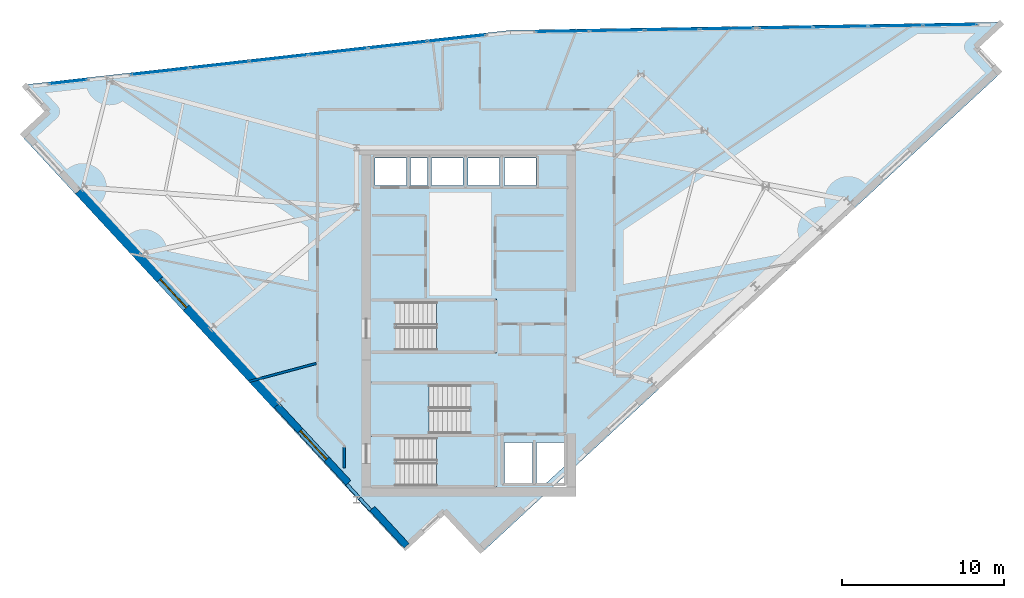
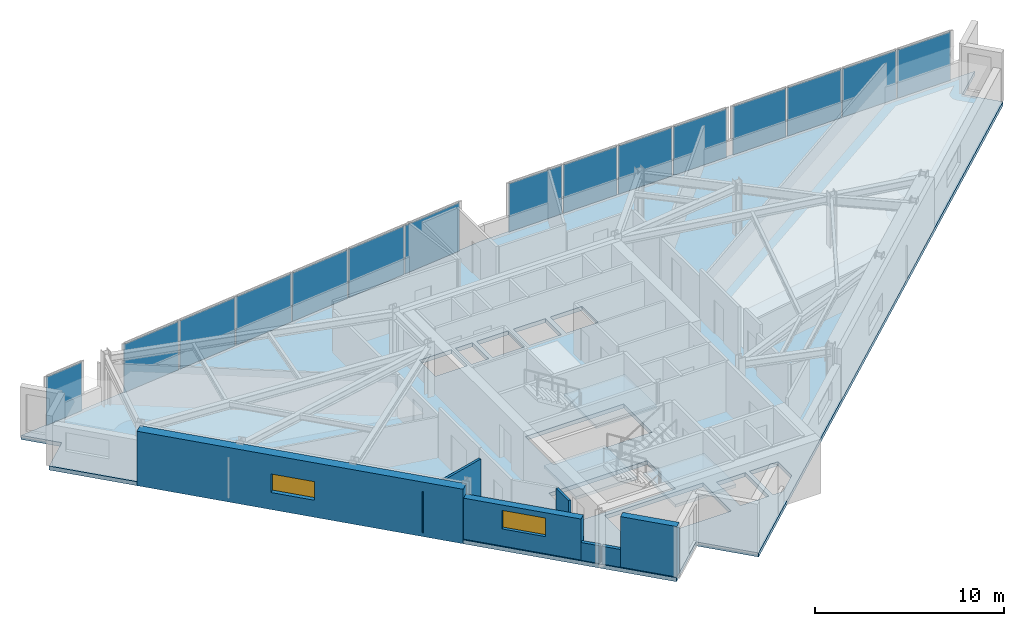
# One storey, part 8 of 14: 15 plates, 7 walls, 4 slabs, 2 windows, 2 openings, 7 elements without a shape of their own.
"""IFC4 building model written with IfcOpenShell, lengths in metres."""

from ifc_helpers import new_model, si_unit, direction, frame, frame_2d, origin, origin_2d, place, context, subcontext, project, spatial, polyline, rectangle, outline, extrude, material, layer, layer_set, type_object, element, fill, aggregate, save


model = new_model("IFC4")

# Units and contexts
model_context = context("Model", 3, precision=1e-05, world=origin(), true_north=direction((0.0, 1.0)))
body_context = subcontext(model_context, "Body", "Model", "MODEL_VIEW")
ifc_project = project(units=[si_unit("LENGTHUNIT", "METRE"), si_unit("AREAUNIT", "SQUARE_METRE"), si_unit("VOLUMEUNIT", "CUBIC_METRE"), si_unit("PLANEANGLEUNIT", "RADIAN"), si_unit("MASSUNIT", "GRAM", prefix="KILO")], contexts=[model_context])

# Site, building, storey
site_placement = place(None, origin())
site = spatial("IfcSite", under=ifc_project, at=site_placement, CompositionType="ELEMENT")
building_placement = place(site_placement, origin())
building = spatial("IfcBuilding", under=site, at=building_placement, Name="Narakoshi Arena Tower", CompositionType="ELEMENT")
storey_placement = place(building_placement, frame((0.0, 0.0, 288.89990234375)))
storey = spatial("IfcBuildingStorey", under=building, at=storey_placement, Name="L79", CompositionType="ELEMENT", Elevation=288.89990234375)

# Curtain wall, plates
ifc_material_1 = material(Name="Clear low-iron laminated structural glass", Category="glass")
curtain_wall_type = type_object("IfcCurtainWallType", Name="CW-OBS-TMD", PredefinedType="NOTDEFINED", material=ifc_material_1)
curtain_wall_1_placement = place(storey_placement, origin())
curtain_wall_1 = element("IfcCurtainWall", 1, at=curtain_wall_1_placement, inside=storey, type_object=curtain_wall_type, Name="L79 Folded Hypotenuse Curtain Wall 1-1", PredefinedType="NOTDEFINED")
ifc_layer_1 = layer(ifc_material_1, 0.052001953125)
ifc_layer_set_1 = layer_set([ifc_layer_1], Name="Clear low-iron laminated structural glass")
plate_type = type_object("IfcPlateType", Name="PLT-GLZ-52", PredefinedType="CURTAIN_PANEL", material=ifc_layer_set_1)
plate_1_placement = place(storey_placement, frame((108.740234375, 64.090087890625, 0.070068359375), z_axis=(0.0, 0.0, 1.0), x_axis=(-0.999864775441, -0.016444781281, 0.0)))
plate_1 = element("IfcPlate", 2, at=plate_1_placement, type_object=plate_type, Name="CW-05 panel 1.1", PredefinedType="CURTAIN_PANEL", context=body_context, shape_type="SweptSolid", body=[
    extrude(rectangle(XDim=3.27783203125, YDim=0.052001953125, at=origin_2d()), origin(), (0.0, 0.0, 1.0), 3.1201171875),
])
plate_2_placement = place(storey_placement, frame((105.363037109375, 64.03466796875, 0.070068359375), z_axis=(0.0, 0.0, 1.0), x_axis=(-0.999864775441, -0.016444781281, 0.0)))
plate_2 = element("IfcPlate", 3, at=plate_2_placement, type_object=plate_type, Name="CW-05 panel 2.1", PredefinedType="CURTAIN_PANEL", context=body_context, shape_type="SweptSolid", body=[
    extrude(rectangle(XDim=3.317626953125, YDim=0.052001953125, at=origin_2d()), origin(), (0.0, 0.0, 1.0), 3.1201171875),
])
plate_3_placement = place(storey_placement, frame((101.9658203125, 63.978759765625, 0.070068359375), z_axis=(0.0, 0.0, 1.0), x_axis=(-0.999864775441, -0.016444781281, 0.0)))
plate_3 = element("IfcPlate", 4, at=plate_3_placement, type_object=plate_type, Name="CW-05 panel 3.1", PredefinedType="CURTAIN_PANEL", context=body_context, shape_type="SweptSolid", body=[
    extrude(rectangle(XDim=3.317626953125, YDim=0.052001953125, at=origin_2d()), origin(), (0.0, 0.0, 1.0), 3.1201171875),
])
plate_4_placement = place(storey_placement, frame((98.58837890625, 63.923095703125, 0.070068359375), z_axis=(0.0, 0.0, 1.0), x_axis=(-0.999864775441, -0.016444781281, 0.0)))
plate_4 = element("IfcPlate", 5, at=plate_4_placement, type_object=plate_type, Name="CW-05 panel 4.1", PredefinedType="CURTAIN_PANEL", context=body_context, shape_type="SweptSolid", body=[
    extrude(rectangle(XDim=3.27783203125, YDim=0.052001953125, at=origin_2d()), origin(), (0.0, 0.0, 1.0), 3.1201171875),
])
aggregate(curtain_wall_1, [plate_1, plate_2, plate_3, plate_4])

curtain_wall_2_placement = place(storey_placement, origin())
curtain_wall_2 = element("IfcCurtainWall", 6, at=curtain_wall_2_placement, inside=storey, type_object=curtain_wall_type, Name="L79 Folded Hypotenuse Curtain Wall 1-2", PredefinedType="NOTDEFINED")
plate_5_placement = place(storey_placement, frame((94.9111328125, 63.862548828125, 0.070068359375), z_axis=(0.0, 0.0, 1.0), x_axis=(-0.999864898384, -0.016437304499, 0.0)))
plate_5 = element("IfcPlate", 7, at=plate_5_placement, type_object=plate_type, Name="CW-05 panel 1.1", PredefinedType="CURTAIN_PANEL", context=body_context, shape_type="SweptSolid", body=[
    extrude(rectangle(XDim=3.27783203125, YDim=0.052001953125, at=origin_2d()), origin(), (0.0, 0.0, 1.0), 3.1201171875),
])
plate_6_placement = place(storey_placement, frame((91.533935546875, 63.80712890625, 0.070068359375), z_axis=(0.0, 0.0, 1.0), x_axis=(-0.999864898384, -0.016437304499, 0.0)))
plate_6 = element("IfcPlate", 8, at=plate_6_placement, type_object=plate_type, Name="CW-05 panel 2.1", PredefinedType="CURTAIN_PANEL", context=body_context, shape_type="SweptSolid", body=[
    extrude(rectangle(XDim=3.31787109375, YDim=0.052001953125, at=origin_2d()), origin(), (0.0, 0.0, 1.0), 3.1201171875),
])
plate_7_placement = place(storey_placement, frame((88.136474609375, 63.751220703125, 0.070068359375), z_axis=(0.0, 0.0, 1.0), x_axis=(-0.999864898384, -0.016437304499, 0.0)))
plate_7 = element("IfcPlate", 9, at=plate_7_placement, type_object=plate_type, Name="CW-05 panel 3.1", PredefinedType="CURTAIN_PANEL", context=body_context, shape_type="SweptSolid", body=[
    extrude(rectangle(XDim=3.31787109375, YDim=0.052001953125, at=origin_2d()), origin(), (0.0, 0.0, 1.0), 3.1201171875),
])
plate_8_placement = place(storey_placement, frame((84.75927734375, 63.69580078125, 0.070068359375), z_axis=(0.0, 0.0, 1.0), x_axis=(-0.999864898384, -0.016437304499, 0.0)))
plate_8 = element("IfcPlate", 10, at=plate_8_placement, type_object=plate_type, Name="CW-05 panel 4.1", PredefinedType="CURTAIN_PANEL", context=body_context, shape_type="SweptSolid", body=[
    extrude(rectangle(XDim=3.27783203125, YDim=0.052001953125, at=origin_2d()), origin(), (0.0, 0.0, 1.0), 3.1201171875),
])
aggregate(curtain_wall_2, [plate_5, plate_6, plate_7, plate_8])

curtain_wall_3_placement = place(storey_placement, origin())
curtain_wall_3 = element("IfcCurtainWall", 11, at=curtain_wall_3_placement, inside=storey, type_object=curtain_wall_type, Name="L79 Folded Hypotenuse Curtain Wall 2-1", PredefinedType="NOTDEFINED")
plate_9_placement = place(storey_placement, frame((78.20263671875, 63.26806640625, 0.070068359375), z_axis=(0.0, 0.0, 1.0), x_axis=(-0.9937760074, -0.111396800294, 0.0)))
plate_9 = element("IfcPlate", 12, at=plate_9_placement, type_object=plate_type, Name="CW-05 panel 1.1", PredefinedType="CURTAIN_PANEL", context=body_context, shape_type="SweptSolid", body=[
    extrude(rectangle(XDim=3.580810546875, YDim=0.052001953125, at=origin_2d()), origin(), (0.0, 0.0, 1.0), 3.1201171875),
])
plate_10_placement = place(storey_placement, frame((74.544677734375, 62.858154296875, 0.070068359375), z_axis=(0.0, 0.0, 1.0), x_axis=(-0.9937760074, -0.111396800294, 0.0)))
plate_10 = element("IfcPlate", 13, at=plate_10_placement, type_object=plate_type, Name="CW-05 panel 2.1", PredefinedType="CURTAIN_PANEL", context=body_context, shape_type="SweptSolid", body=[
    extrude(rectangle(XDim=3.620849609375, YDim=0.052001953125, at=origin_2d()), origin(), (0.0, 0.0, 1.0), 3.1201171875),
])
plate_11_placement = place(storey_placement, frame((70.866943359375, 62.44580078125, 0.070068359375), z_axis=(0.0, 0.0, 1.0), x_axis=(-0.9937760074, -0.111396800294, 0.0)))
plate_11 = element("IfcPlate", 14, at=plate_11_placement, type_object=plate_type, Name="CW-05 panel 3.1", PredefinedType="CURTAIN_PANEL", context=body_context, shape_type="SweptSolid", body=[
    extrude(rectangle(XDim=3.620849609375, YDim=0.052001953125, at=origin_2d()), origin(), (0.0, 0.0, 1.0), 3.1201171875),
])
plate_12_placement = place(storey_placement, frame((67.18896484375, 62.033447265625, 0.070068359375), z_axis=(0.0, 0.0, 1.0), x_axis=(-0.9937760074, -0.111396800294, 0.0)))
plate_12 = element("IfcPlate", 15, at=plate_12_placement, type_object=plate_type, Name="CW-05 panel 4.1", PredefinedType="CURTAIN_PANEL", context=body_context, shape_type="SweptSolid", body=[
    extrude(rectangle(XDim=3.620849609375, YDim=0.052001953125, at=origin_2d()), origin(), (0.0, 0.0, 1.0), 3.1201171875),
])
plate_13_placement = place(storey_placement, frame((63.51123046875, 61.621337890625, 0.070068359375), z_axis=(0.0, 0.0, 1.0), x_axis=(-0.9937760074, -0.111396800294, 0.0)))
plate_13 = element("IfcPlate", 16, at=plate_13_placement, type_object=plate_type, Name="CW-05 panel 5.1", PredefinedType="CURTAIN_PANEL", context=body_context, shape_type="SweptSolid", body=[
    extrude(rectangle(XDim=3.620849609375, YDim=0.052001953125, at=origin_2d()), origin(), (0.0, 0.0, 1.0), 3.1201171875),
])
plate_14_placement = place(storey_placement, frame((59.853271484375, 61.211181640625, 0.070068359375), z_axis=(0.0, 0.0, 1.0), x_axis=(-0.9937760074, -0.111396800294, 0.0)))
plate_14 = element("IfcPlate", 17, at=plate_14_placement, type_object=plate_type, Name="CW-05 panel 6.1", PredefinedType="CURTAIN_PANEL", context=body_context, shape_type="SweptSolid", body=[
    extrude(rectangle(XDim=3.580810546875, YDim=0.052001953125, at=origin_2d()), origin(), (0.0, 0.0, 1.0), 3.1201171875),
])
aggregate(curtain_wall_3, [plate_9, plate_10, plate_11, plate_12, plate_13, plate_14])

# Curtain wall, plate
curtain_wall_4_placement = place(storey_placement, origin())
curtain_wall_4 = element("IfcCurtainWall", 18, at=curtain_wall_4_placement, inside=storey, type_object=curtain_wall_type, Name="L79 Folded Hypotenuse Curtain Wall 2-2", PredefinedType="NOTDEFINED")
plate_15_placement = place(storey_placement, frame((54.15478515625, 60.572509765625, 0.070068359375), z_axis=(0.0, 0.0, 1.0), x_axis=(-0.993773636197, -0.111417951878, 0.0)))
plate_15 = element("IfcPlate", 19, at=plate_15_placement, type_object=plate_type, Name="CW-05 panel 1.1", PredefinedType="CURTAIN_PANEL", context=body_context, shape_type="SweptSolid", body=[
    extrude(rectangle(XDim=2.31005859375, YDim=0.052001953125, at=origin_2d()), origin(), (0.0, 0.0, 1.0), 3.1201171875),
])
aggregate(curtain_wall_4, [plate_15])

# Stair, slab
ifc_material_2 = material(Name="Concrete C45/55", Category="concrete")
stair_type = type_object("IfcStairType", Name="STR-CORE-352", PredefinedType="TWO_STRAIGHT_RUN_STAIR", material=ifc_material_2)
stair_1_placement = place(storey_placement, origin())
stair_1 = element("IfcStair", 20, at=stair_1_placement, inside=storey, type_object=stair_type, Name="L79 Core Escape Stair ST1", PredefinedType="TWO_STRAIGHT_RUN_STAIR")
ifc_layer_2 = layer(ifc_material_2, 0.18994140625)
ifc_layer_set_2 = layer_set([ifc_layer_2], Name="Concrete C45/55")
slab_type_1 = type_object("IfcSlabType", Name="SLB-LND-190", PredefinedType="LANDING", material=ifc_layer_set_2)
slab_1_placement = place(storey_placement, frame((0.0, 0.0, 1.570068359375)))
slab_1 = element("IfcSlab", 21, at=slab_1_placement, type_object=slab_type_1, Name="ST1 landing 1", PredefinedType="LANDING", context=body_context, shape_type="SweptSolid", body=[
    extrude(outline(polyline([(76.965087890625, 35.3701171875), (80.679931640625, 35.3701171875), (80.679931640625, 38.72998046875), (76.965087890625, 38.72998046875), (76.965087890625, 35.3701171875)])), origin(), (0.0, 0.0, 1.0), 0.18994140625),
])
aggregate(stair_1, [slab_1])

stair_2_placement = place(storey_placement, origin())
stair_2 = element("IfcStair", 22, at=stair_2_placement, inside=storey, type_object=stair_type, Name="L79 Core Escape Stair ST2", PredefinedType="TWO_STRAIGHT_RUN_STAIR")
slab_2_placement = place(storey_placement, frame((0.0, 0.0, 1.570068359375)))
slab_2 = element("IfcSlab", 23, at=slab_2_placement, type_object=slab_type_1, Name="ST2 landing 1", PredefinedType="LANDING", context=body_context, shape_type="SweptSolid", body=[
    extrude(outline(polyline([(72.77001953125, 38.6201171875), (76.485107421875, 38.6201171875), (76.485107421875, 41.97998046875), (72.77001953125, 41.97998046875), (72.77001953125, 38.6201171875)])), origin(), (0.0, 0.0, 1.0), 0.18994140625),
])
aggregate(stair_2, [slab_2])

stair_3_placement = place(storey_placement, origin())
stair_3 = element("IfcStair", 24, at=stair_3_placement, inside=storey, type_object=stair_type, Name="L79 Core Escape Stair ST3", PredefinedType="TWO_STRAIGHT_RUN_STAIR")
slab_3_placement = place(storey_placement, frame((0.0, 0.0, 1.570068359375)))
slab_3 = element("IfcSlab", 25, at=slab_3_placement, type_object=slab_type_1, Name="ST3 landing 1", PredefinedType="LANDING", context=body_context, shape_type="SweptSolid", body=[
    extrude(outline(polyline([(76.965087890625, 43.77001953125), (80.679931640625, 43.77001953125), (80.679931640625, 47.1298828125), (76.965087890625, 47.1298828125), (76.965087890625, 43.77001953125)])), origin(), (0.0, 0.0, 1.0), 0.18994140625),
])
aggregate(stair_3, [slab_3])

# Slab
ifc_material_3 = material(Name="Concrete C50/60", Category="concrete")
ifc_layer_3 = layer(ifc_material_3, 0.260009765625)
ifc_layer_set_3 = layer_set([ifc_layer_3], Name="Concrete C50/60")
slab_type_2 = type_object("IfcSlabType", Name="SLB-SKY-260", PredefinedType="FLOOR", material=ifc_layer_set_3)
slab_4_placement = place(storey_placement, frame((0.0, 0.0, -0.260009765625)))
element("IfcSlab", 26, at=slab_4_placement, inside=storey, type_object=slab_type_2, Name="L79 Structural Floor Slab", PredefinedType="FLOOR", context=body_context, shape_type="SweptSolid", body=[
    extrude(outline(polyline([(79.8056640625, 31.47216796875), (111.83154296875, 61.076416015625), (110.30078125, 62.732421875), (111.956787109375, 64.26318359375), (81.538818359375, 63.7626953125), (51.42333984375, 60.38720703125), (52.9541015625, 58.731201171875), (51.298095703125, 57.200439453125), (74.9033203125, 31.664794921875), (77.45068359375, 34.01953125), (79.8056640625, 31.47216796875)]), holes=[polyline([(80.5, 35.550048828125), (74.47998046875, 35.550048828125), (74.47998046875, 38.550048828125), (80.5, 38.550048828125), (80.5, 35.550048828125)]), polyline([(82.89990234375, 35.75), (81.14990234375, 35.75), (81.14990234375, 38.25), (82.89990234375, 38.25), (82.89990234375, 35.75)]), polyline([(84.89990234375, 36.794189453125), (83.7705078125, 35.75), (83.14990234375, 35.75), (83.14990234375, 38.25), (84.89990234375, 38.25), (84.89990234375, 36.794189453125)]), polyline([(72.949951171875, 38.800048828125), (72.949951171875, 41.800048828125), (78.969970703125, 41.800048828125), (78.969970703125, 38.800048828125), (72.949951171875, 38.800048828125)]), polyline([(74.47998046875, 43.949951171875), (74.47998046875, 46.949951171875), (80.5, 46.949951171875), (80.5, 43.949951171875), (74.47998046875, 43.949951171875)]), polyline([(75.10009765625, 54.14990234375), (73.14990234375, 54.14990234375), (73.14990234375, 55.85009765625), (75.10009765625, 55.85009765625), (75.10009765625, 54.14990234375)]), polyline([(76.39990234375, 54.14990234375), (75.35009765625, 54.14990234375), (75.35009765625, 55.85009765625), (76.39990234375, 55.85009765625), (76.39990234375, 54.14990234375)]), polyline([(78.60009765625, 54.14990234375), (76.64990234375, 54.14990234375), (76.64990234375, 55.85009765625), (78.60009765625, 55.85009765625), (78.60009765625, 54.14990234375)]), polyline([(78.89990234375, 54.14990234375), (78.89990234375, 55.85009765625), (80.85009765625, 55.85009765625), (80.85009765625, 54.14990234375), (78.89990234375, 54.14990234375)]), polyline([(81.14990234375, 54.14990234375), (81.14990234375, 55.85009765625), (83.10009765625, 55.85009765625), (83.10009765625, 54.14990234375), (81.14990234375, 54.14990234375)])]), origin(), (0.0, 0.0, 1.0), 0.260009765625),
])

# Wall, opening, window
ifc_layer_4 = layer(ifc_material_3, 0.550048828125)
ifc_layer_set_4 = layer_set([ifc_layer_4], Name="Concrete C50/60")
wall_type_1 = type_object("IfcWallType", Name="WL-LEG-550", PredefinedType="SHEAR", material=ifc_layer_set_4)
wall_1_placement = place(storey_placement, frame((54.804931640625, 53.81201171875, -0.260009765625), z_axis=(0.0, 0.0, 1.0), x_axis=(0.678803115619, -0.734320318543, 0.0)))
wall_1 = element("IfcWall", 27, at=wall_1_placement, inside=storey, type_object=wall_type_1, Name="L79 Architectural Concrete Structural Wall LEGB-2", PredefinedType="SHEAR", context=body_context, shape_type="SweptSolid", body=[
    extrude(rectangle(XDim=18.082763671875, YDim=0.550048828125, at=frame_2d((9.04150390625, 0.0))), origin(), (0.0, 0.0, 1.0), 3.52001953125),
])
opening_1_placement = place(wall_1_placement, frame((7.434326171875, 0.0, 1.10009765625)))
opening_1 = element("IfcOpeningElement", 28, at=opening_1_placement, cuts=wall_1, Name="Opening WN-04", PredefinedType="OPENING", context=body_context, shape_type="SweptSolid", body=[
    extrude(rectangle(XDim=2.39990234375, YDim=1.199951171875, at=frame_2d((1.199951171875, 0.60009765625))), frame((0.0, 0.284912109375, 0.0), z_axis=(0.0, -1.0, 0.0), x_axis=(1.0, 0.0, 0.0)), (0.0, 0.0, 1.0), 0.570068359375),
])
ifc_material_4 = material(Name="Bronze-tinted low-E laminated glass", Category="glass")
window_type = type_object("IfcWindowType", Name="WIN-SLT-24x12", PartitioningType="SINGLE_PANEL", PredefinedType="WINDOW", material=ifc_material_4)
window_1_placement = place(opening_1_placement, origin())
window_1 = element("IfcWindow", 29, at=window_1_placement, inside=storey, type_object=window_type, Name="L79 LEGB2 Horizontal Slot Window 1", OverallHeight=1.199951171875, OverallWidth=2.39990234375, PartitioningType="SINGLE_PANEL", PredefinedType="WINDOW", context=body_context, shape_type="SweptSolid", body=[
    extrude(rectangle(XDim=2.39990234375, YDim=1.199951171875, at=frame_2d((1.199951171875, 0.60009765625))), frame((0.0, 0.030029296875, 0.0), z_axis=(0.0, -1.0, 0.0), x_axis=(1.0, 0.0, 0.0)), (0.0, 0.0, 1.0), 0.06005859375),
])
fill(opening_1, window_1)

# Walls
ifc_material_5 = material(Name="Precast concrete C45/55", Category="concrete")
ifc_layer_5 = layer(ifc_material_5, 0.25)
ifc_layer_set_5 = layer_set([ifc_layer_5], Name="Precast concrete C45/55")
wall_type_2 = type_object("IfcWallType", Name="WL-PARA-250", PredefinedType="PARAPET", material=ifc_layer_set_5)
wall_2_placement = place(storey_placement, frame((72.881103515625, 34.058349609375, 0.0), z_axis=(0.0, 0.0, 1.0), x_axis=(-0.678872530156, 0.734256145905, 0.0)))
element("IfcWall", 30, at=wall_2_placement, inside=storey, type_object=wall_type_2, Name="L79 Crown Sill Upstand Parapet 01", PredefinedType="PARAPET", context=body_context, shape_type="SweptSolid", body=[
    extrude(rectangle(XDim=1.009521484375, YDim=0.199951171875, at=frame_2d((0.5048828125, 0.0))), origin(), (0.0, 0.0, 1.0), 1.150146484375),
])
wall_3_placement = place(storey_placement, frame((72.114990234375, 34.88720703125, 0.0), z_axis=(0.0, 0.0, 1.0), x_axis=(-0.678713667452, 0.734402994012, 0.0)))
element("IfcWall", 31, at=wall_3_placement, inside=storey, type_object=wall_type_2, Name="L79 Crown Sill Upstand Parapet 02", PredefinedType="PARAPET", context=body_context, shape_type="SweptSolid", body=[
    extrude(rectangle(XDim=1.05224609375, YDim=0.199951171875, at=frame_2d((0.526123046875, 0.0))), origin(), (0.0, 0.0, 1.0), 1.150146484375),
])

# Wall, opening, window
ifc_layer_6 = layer(ifc_material_5, 0.419921875)
ifc_layer_set_6 = layer_set([ifc_layer_6], Name="Precast concrete C45/55")
wall_type_3 = type_object("IfcWallType", Name="WL-POD-420", PredefinedType="SOLIDWALL", material=ifc_layer_set_6)
wall_4_placement = place(storey_placement, frame((67.07958984375, 40.533447265625, 0.0), z_axis=(0.0, 0.0, 1.0), x_axis=(0.678800006437, -0.734323192648, 0.0)))
wall_4 = element("IfcWall", 32, at=wall_4_placement, inside=storey, type_object=wall_type_3, Name="L79 Architectural Concrete Facade Wall LEGB-3", PredefinedType="SOLIDWALL", context=body_context, shape_type="SweptSolid", body=[
    extrude(rectangle(XDim=6.51220703125, YDim=0.419921875, at=frame_2d((3.256103515625, 0.0))), origin(), (0.0, 0.0, 1.0), 2.64501953125),
])
opening_2_placement = place(wall_4_placement, frame((2.128662109375, 0.0, 1.10009765625)))
opening_2 = element("IfcOpeningElement", 33, at=opening_2_placement, cuts=wall_4, Name="Opening WN-04", PredefinedType="OPENING", context=body_context, shape_type="SweptSolid", body=[
    extrude(rectangle(XDim=2.39990234375, YDim=1.199951171875, at=frame_2d((1.199951171875, 0.60009765625))), frame((0.0, 0.219970703125, 0.0), z_axis=(0.0, -1.0, 0.0), x_axis=(1.0, 0.0, 0.0)), (0.0, 0.0, 1.0), 0.43994140625),
])
window_2_placement = place(opening_2_placement, origin())
window_2 = element("IfcWindow", 34, at=window_2_placement, inside=storey, type_object=window_type, Name="L79 LEGB3 Horizontal Slot Window 1", OverallHeight=1.199951171875, OverallWidth=2.39990234375, PartitioningType="SINGLE_PANEL", PredefinedType="WINDOW", context=body_context, shape_type="SweptSolid", body=[
    extrude(rectangle(XDim=2.39990234375, YDim=1.199951171875, at=frame_2d((1.199951171875, 0.60009765625))), frame((0.0, 0.030029296875, 0.0), z_axis=(0.0, -1.0, 0.0), x_axis=(1.0, 0.0, 0.0)), (0.0, 0.0, 1.0), 0.06005859375),
])
fill(opening_2, window_2)

# Walls
wall_5_placement = place(storey_placement, frame((72.980224609375, 34.14990234375, 0.0), z_axis=(0.0, 0.0, 1.0), x_axis=(0.67879500555, -0.73432781538, 0.0)))
element("IfcWall", 35, at=wall_5_placement, inside=storey, type_object=wall_type_3, Name="L79 Architectural Concrete Facade Wall LEGB-4", PredefinedType="SOLIDWALL", context=body_context, shape_type="SweptSolid", body=[
    extrude(rectangle(XDim=3.130126953125, YDim=0.419921875, at=frame_2d((1.56494140625, 0.0))), origin(), (0.0, 0.0, 1.0), 3.260009765625),
])
ifc_material_6 = material(Name="Moisture-resistant cement-board partition")
ifc_layer_7 = layer(ifc_material_6, 0.14501953125)
ifc_layer_set_7 = layer_set([ifc_layer_7], Name="Moisture-resistant cement-board partition")
wall_type_4 = type_object("IfcWallType", Name="WL-WET-145", PredefinedType="PARTITIONING", material=ifc_layer_set_7)
wall_6_placement = place(storey_placement, frame((65.334228515625, 42.016357421875, 0.0), z_axis=(0.0, 0.0, 1.0), x_axis=(0.965738942055, 0.259515502039, 0.0)))
element("IfcWall", 36, at=wall_6_placement, inside=storey, type_object=wall_type_4, Name="L79 Inter-Room Partition 01-09", PredefinedType="PARTITIONING", context=body_context, shape_type="SweptSolid", body=[
    extrude(rectangle(XDim=4.32080078125, YDim=0.14501953125, at=frame_2d((2.160400390625, 0.0))), origin(), (0.0, 0.0, 1.0), 2.64501953125),
])
wall_7_placement = place(storey_placement, frame((71.25, 37.958984375, 0.0), z_axis=(0.0, 0.0, 1.0), x_axis=(0.0, -1.0, 0.0)))
element("IfcWall", 37, at=wall_7_placement, inside=storey, type_object=wall_type_4, Name="L79 Room Enclosure Partition 01-1", PredefinedType="PARTITIONING", context=body_context, shape_type="SweptSolid", body=[
    extrude(rectangle(XDim=1.3037109375, YDim=0.14501953125, at=frame_2d((0.65185546875, 0.0))), origin(), (0.0, 0.0, 1.0), 3.260009765625),
])

save(model, "model.ifc")
